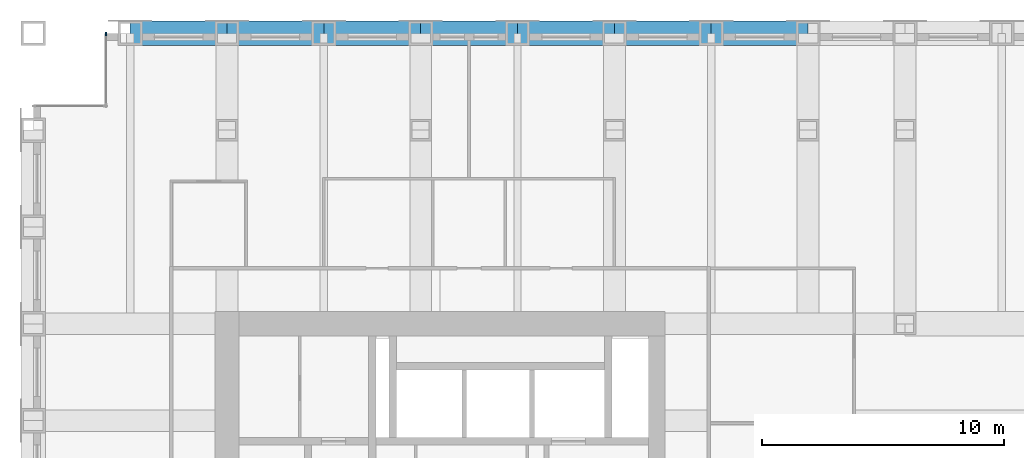
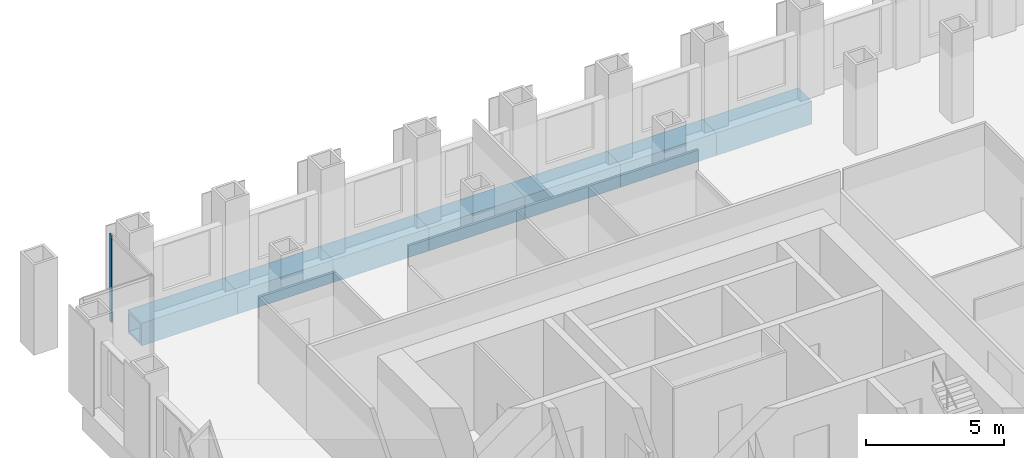
# One storey, part 8 of 16: 7 beams, 1 member, 1 element without a shape of its own.
"""IFC4 building model written with IfcOpenShell, lengths in metres."""

import ifcopenshell
import ifcopenshell.guid

model = None  # the IFC model being written
_history = None  # IfcOwnerHistory: only IFC2X3 demands one
_inside = {}  # id of a spatial element -> (the spatial element, [elements in it])
_under = {}  # id of a project, library or spatial element -> (it, [spatial elements below it])
_declared = {}  # id of a project -> (the project, [libraries it declares])
_typed = {}  # id of a type object -> (the type object, [elements of that type])
_made_of = {}  # id of a material, layer set ... -> (it, [elements and type objects made of it])


def new_model(schema):
    """Start an empty IFC model of exactly this schema.

    Asked for "IFC4X3", IfcOpenShell would pick the latest addendum, in which some entities
    have other attributes; the version numbers below select the first issue.
    IFC2X3 requires an IfcOwnerHistory on every rooted entity: one is made here for all.
    """
    global model, _history
    if schema == "IFC4X3":
        model = ifcopenshell.file(schema_version=(4, 3, 0, 0))
    else:
        model = ifcopenshell.file(schema=schema)
    _inside.clear()
    _under.clear()
    _declared.clear()
    _typed.clear()
    _made_of.clear()
    _history = None
    if model.schema == "IFC2X3":
        org = make("IfcOrganization", Name="unknown")
        user = make(
            "IfcPersonAndOrganization",
            ThePerson=make("IfcPerson", FamilyName="unknown"),
            TheOrganization=org,
        )
        app = make(
            "IfcApplication",
            ApplicationDeveloper=org,
            Version="unknown",
            ApplicationFullName="unknown",
            ApplicationIdentifier="unknown",
        )
        _history = make(
            "IfcOwnerHistory",
            OwningUser=user,
            OwningApplication=app,
            ChangeAction="ADDED",
            CreationDate=0,
        )
    return model


def make(cls, **values):
    """One entity of the class cls with the attributes given. An attribute that is None is left unset."""
    return model.create_entity(
        cls, **{name: value for name, value in values.items() if value is not None}
    )


def rooted(cls, **values):
    """An entity with a GlobalId (a new one), such as an element, a storey or a relation."""
    return make(cls, GlobalId=ifcopenshell.guid.new(), OwnerHistory=_history, **values)


def si_unit(unit_type, name, prefix=None):
    """IfcSIUnit, for example si_unit("LENGTHUNIT", "METRE", prefix="MILLI")."""
    return make("IfcSIUnit", UnitType=unit_type, Prefix=prefix, Name=name)


def assignment(units):
    """IfcUnitAssignment: the units of a project."""
    return None if units is None else make("IfcUnitAssignment", Units=units)


def point(xyz):
    """IfcCartesianPoint."""
    return None if xyz is None else make("IfcCartesianPoint", Coordinates=xyz)


def direction(xyz):
    """IfcDirection."""
    return None if xyz is None else make("IfcDirection", DirectionRatios=xyz)


def frame(location, z_axis=None, x_axis=None):
    """IfcAxis2Placement3D, a coordinate frame: its origin and axes. An axis left out is left unset."""
    return make(
        "IfcAxis2Placement3D",
        Location=point(location),
        Axis=direction(z_axis),
        RefDirection=direction(x_axis),
    )


def frame_2d(location, x_axis=None):
    """IfcAxis2Placement2D, a coordinate frame in the plane: its origin and x axis."""
    return make(
        "IfcAxis2Placement2D", Location=point(location), RefDirection=direction(x_axis)
    )


def origin():
    """The frame at (0, 0, 0) with its axes left unset."""
    return frame((0.0, 0.0, 0.0))


def origin_2d():
    """The frame at (0, 0) in the plane with its x axis left unset."""
    return frame_2d((0.0, 0.0))


def place(relative_to, where):
    """IfcLocalPlacement: puts the frame where relative to a parent placement (None: the world)."""
    return make(
        "IfcLocalPlacement", PlacementRelTo=relative_to, RelativePlacement=where
    )


def context(
    kind, dimensions, precision=None, world=None, true_north=None, identifier=None
):
    """IfcGeometricRepresentationContext, for example the 3D "Model" context."""
    return make(
        "IfcGeometricRepresentationContext",
        ContextIdentifier=identifier,
        ContextType=kind,
        CoordinateSpaceDimension=dimensions,
        Precision=precision,
        WorldCoordinateSystem=world,
        TrueNorth=true_north,
    )


def subcontext(parent, identifier, kind, view, scale=None):
    """IfcGeometricRepresentationSubContext, for example "Body" below "Model"."""
    return make(
        "IfcGeometricRepresentationSubContext",
        ContextIdentifier=identifier,
        ContextType=kind,
        ParentContext=parent,
        TargetScale=scale,
        TargetView=view,
    )


def project(units=None, contexts=None):
    """IfcProject with its units and contexts."""
    return rooted(
        "IfcProject",
        Name="project",
        RepresentationContexts=contexts,
        UnitsInContext=assignment(units),
    )


def spatial(cls, under=None, at=None, **own):
    """A site, building, storey or space (cls), placed at a placement, below another one or the project."""
    s = rooted(cls, ObjectPlacement=at, **own)
    if under is not None:
        _under.setdefault(under.id(), (under, []))[1].append(s)
    return s


def profile(cls, at=None, kind="AREA", **sizes):
    """A parametric profile (cls). Its sizes go by their IFC names, for example OverallWidth=200.0."""
    return make(cls, ProfileType=kind, Position=at, **sizes)


def rectangle(**sizes):
    """IfcRectangleProfileDef."""
    return profile("IfcRectangleProfileDef", **sizes)


def hollow_rectangle(**sizes):
    """IfcRectangleHollowProfileDef."""
    return profile("IfcRectangleHollowProfileDef", **sizes)


def extrude(swept, where, along, depth):
    """IfcExtrudedAreaSolid: the profile swept, set in the frame where, extruded along a direction by depth."""
    return make(
        "IfcExtrudedAreaSolid",
        SweptArea=swept,
        Position=where,
        ExtrudedDirection=direction(along),
        Depth=depth,
    )


def shape(context_of_items, identifier, shape_type, items):
    """IfcShapeRepresentation: the items that make up one representation, for example the "Body"."""
    return make(
        "IfcShapeRepresentation",
        ContextOfItems=context_of_items,
        RepresentationIdentifier=identifier,
        RepresentationType=shape_type,
        Items=items,
    )


def material(Name=None, Category=None):
    """IfcMaterial."""
    return make("IfcMaterial", Name=Name, Category=Category)


def material_profile(
    of_material, cross_section, Name=None, Category=None, Priority=None
):
    """IfcMaterialProfile: a cross section and its material."""
    return make(
        "IfcMaterialProfile",
        Name=Name,
        Material=of_material,
        Profile=cross_section,
        Priority=Priority,
        Category=Category,
    )


def profile_set(profiles, Name=None, composite=None):
    """IfcMaterialProfileSet."""
    return make(
        "IfcMaterialProfileSet",
        Name=Name,
        MaterialProfiles=profiles,
        CompositeProfile=composite,
    )


def made_of(thing, what):
    """Note that an element or type object is made of a material, layer set ...; save() writes the relation."""
    if what is not None:
        _made_of.setdefault(what.id(), (what, []))[1].append(thing)
    return thing


def type_object(cls, material=None, **own):
    """A type object (cls), such as IfcWallType, which elements share."""
    return made_of(rooted(cls, **own), material)


def element(
    cls,
    number,
    at=None,
    inside=None,
    cuts=None,
    type_object=None,
    material=None,
    context=None,
    identifier="Body",
    shape_type=None,
    held_by="IfcProductDefinitionShape",
    body=None,
    shapes=None,
    **own,
):
    """One element of the class cls, such as IfcWall. Its Tag is "e" and its number.

    at: its placement. inside: the storey or other place that contains it. cuts: it is an
    opening in that element (IfcRelVoidsElement). A single representation is given by context,
    identifier, shape_type and body (its items); several are given by shapes. held_by: the class
    of the entity that holds the representations. save() writes the other relations.
    """
    e = rooted(cls, Tag="e%d" % number, ObjectPlacement=at, **own)
    if body is not None:
        shapes = [shape(context, identifier, shape_type, body)]
    if shapes is not None:
        e.Representation = make(held_by, Representations=shapes)
    if inside is not None:
        _inside.setdefault(inside.id(), (inside, []))[1].append(e)
    if cuts is not None:
        rooted(
            "IfcRelVoidsElement", RelatingBuildingElement=cuts, RelatedOpeningElement=e
        )
    if type_object is not None:
        _typed.setdefault(type_object.id(), (type_object, []))[1].append(e)
    return made_of(e, material)


def aggregate(whole, parts):
    """IfcRelAggregates: a whole, such as a stair, and the parts it consists of."""
    return rooted("IfcRelAggregates", RelatingObject=whole, RelatedObjects=parts)


def save(model, path):
    """Write the relations noted so far, then the file.

    IfcRelAggregates (storeys below a building ...), IfcRelContainedInSpatialStructure (elements
    in a storey), IfcRelDefinesByType, IfcRelAssociatesMaterial and IfcRelDeclares: one each for
    every whole, place, type object, material and project.
    """
    for whole, parts in _under.values():
        aggregate(whole, parts)
    for where, things in _inside.values():
        rooted(
            "IfcRelContainedInSpatialStructure",
            RelatedElements=things,
            RelatingStructure=where,
        )
    for kind, things in _typed.values():
        rooted("IfcRelDefinesByType", RelatedObjects=things, RelatingType=kind)
    for what, things in _made_of.values():
        rooted("IfcRelAssociatesMaterial", RelatedObjects=things, RelatingMaterial=what)
    for by, libraries in _declared.values():
        rooted("IfcRelDeclares", RelatingContext=by, RelatedDefinitions=libraries)
    model.write(path)


model = new_model("IFC4")

# Units and contexts
model_context = context("Model", 3, precision=1e-05, world=origin(), true_north=direction((0.0, 1.0)))
body_context = subcontext(model_context, "Body", "Model", "MODEL_VIEW")
ifc_project = project(units=[si_unit("LENGTHUNIT", "METRE"), si_unit("AREAUNIT", "SQUARE_METRE"), si_unit("VOLUMEUNIT", "CUBIC_METRE"), si_unit("PLANEANGLEUNIT", "RADIAN"), si_unit("MASSUNIT", "GRAM", prefix="KILO")], contexts=[model_context])

# Site, building, storey
site_placement = place(None, origin())
site = spatial("IfcSite", under=ifc_project, at=site_placement, CompositionType="ELEMENT")
building_placement = place(site_placement, origin())
building = spatial("IfcBuilding", under=site, at=building_placement, Name="Rimbunsela Tower", CompositionType="ELEMENT")
storey_placement = place(building_placement, frame((0.0, 0.0, 89.39990234375)))
storey = spatial("IfcBuildingStorey", under=building, at=storey_placement, Name="L21", CompositionType="ELEMENT", Elevation=89.39990234375)

# Beams
ifc_material_1 = material(Name="Steel BJ 55 (fy 410 MPa)", Category="steel")
ifc_material_profile_1 = material_profile(ifc_material_1, hollow_rectangle(XDim=1.0, YDim=1.0, WallThickness=0.10009765625, at=origin_2d()), Name="BOX 1000x1000x100")
ifc_profile_set_1 = profile_set([ifc_material_profile_1], Name="Steel BJ 55 (fy 410 MPa)")
beam_type = type_object("IfcBeamType", Name="Beam BOX 1000x1000x100", PredefinedType="BEAM", material=ifc_profile_set_1)
for number, where, z_axis, x_axis, name in (
    (1, (14.0, 48.0, -0.64990234375), (1.0, 0.0, 0.0), (0.0, 1.0, 0.0), "Beam B3 L21"),
    (2, (18.0, 48.0, -0.64990234375), (1.0, 0.0, 0.0), (0.0, 1.0, 0.0), "Beam B3 L21"),
    (3, (22.0, 48.0, -0.64990234375), (1.0, 0.0, 0.0), (0.0, 1.0, 0.0), "Beam B3 L21"),
    (4, (26.0, 48.0, -0.64990234375), (1.0, 0.0, 0.0), (0.0, 1.0, 0.0), "Beam B3 L21"),
    (5, (30.0, 48.0, -0.64990234375), (1.0, 0.0, 0.0), (0.0, 1.0, 0.0), "Beam B3 L21"),
    (6, (34.0, 48.0, -0.64990234375), (1.0, 0.0, 0.0), (0.0, 1.0, 0.0), "Beam B3 L21"),
    (7, (38.0, 48.0, -0.64990234375), (1.0, 0.0, 0.0), (0.0, 1.0, 0.0), "Beam B3 L21"),
):
    element("IfcBeam", number, at=place(storey_placement, frame(where, z_axis=z_axis, x_axis=x_axis)), inside=storey, type_object=beam_type, Name=name, PredefinedType="BEAM", context=body_context, shape_type="SweptSolid", body=[
        extrude(hollow_rectangle(XDim=1.0, YDim=1.0, WallThickness=0.10009765625, at=origin_2d()), origin(), (0.0, 0.0, 1.0), 4.0),
    ])

# Curtain wall, member
ifc_material_2 = material(Name="Aluminium curtain wall", Category="aluminium")
curtain_wall_type = type_object("IfcCurtainWallType", Name="Corner glazing", PredefinedType="USERDEFINED", material=ifc_material_2)
curtain_wall_placement = place(storey_placement, origin())
curtain_wall = element("IfcCurtainWall", 8, at=curtain_wall_placement, inside=storey, type_object=curtain_wall_type, Name="Corner glazing L21", ObjectType="CORNER GLAZING", PredefinedType="USERDEFINED")
ifc_material_3 = material(Name="Aluminium mullion", Category="aluminium")
ifc_material_profile_2 = material_profile(ifc_material_3, rectangle(XDim=0.06005859375, YDim=0.159912109375, at=origin_2d()), Name="Mullion 60x160")
ifc_profile_set_2 = profile_set([ifc_material_profile_2], Name="Aluminium mullion")
member_type = type_object("IfcMemberType", Name="Curtain wall mullion 60x160", PredefinedType="MULLION", material=ifc_profile_set_2)
member_placement = place(storey_placement, frame((13.0, 47.969970703125, 0.0), z_axis=(0.0, 0.0, 1.0), x_axis=(1.0, 0.0, 0.0)))
member = element("IfcMember", 9, at=member_placement, type_object=member_type, Name="CW5 mullion 1", PredefinedType="MULLION", context=body_context, shape_type="SweptSolid", body=[
    extrude(rectangle(XDim=0.06005859375, YDim=0.159912109375, at=origin_2d()), origin(), (0.0, 0.0, 1.0), 3.85009765625),
])
aggregate(curtain_wall, [member])

save(model, "model.ifc")
